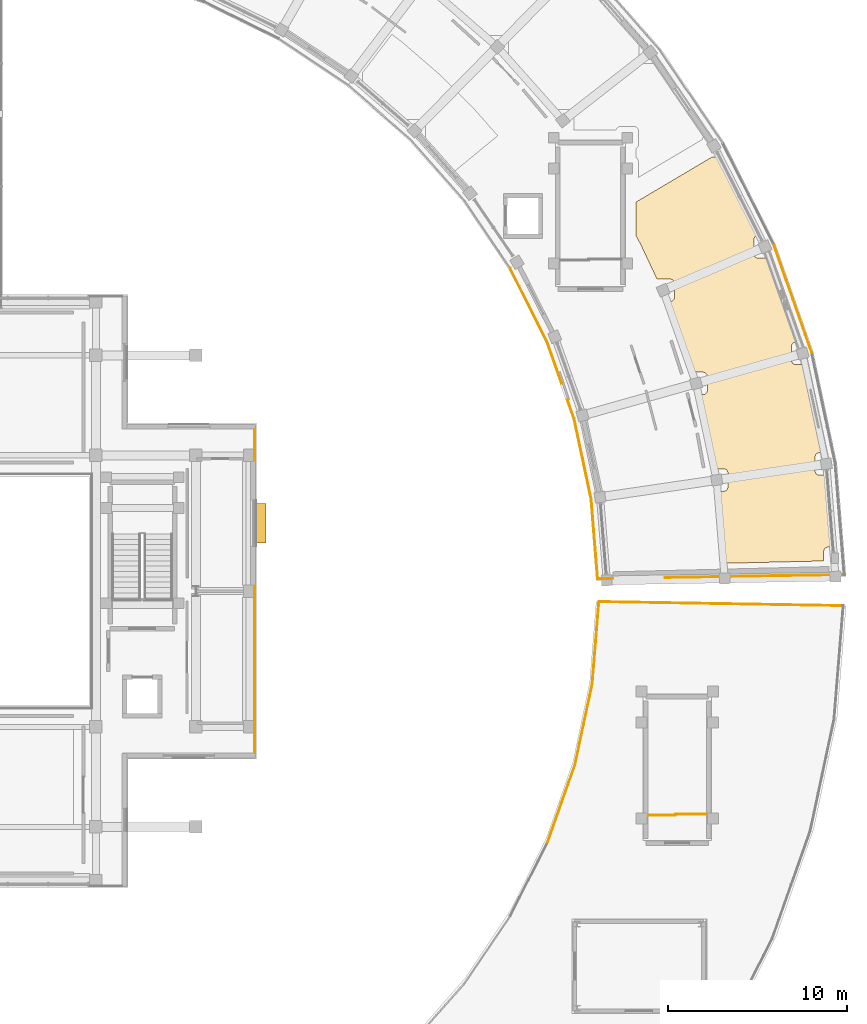
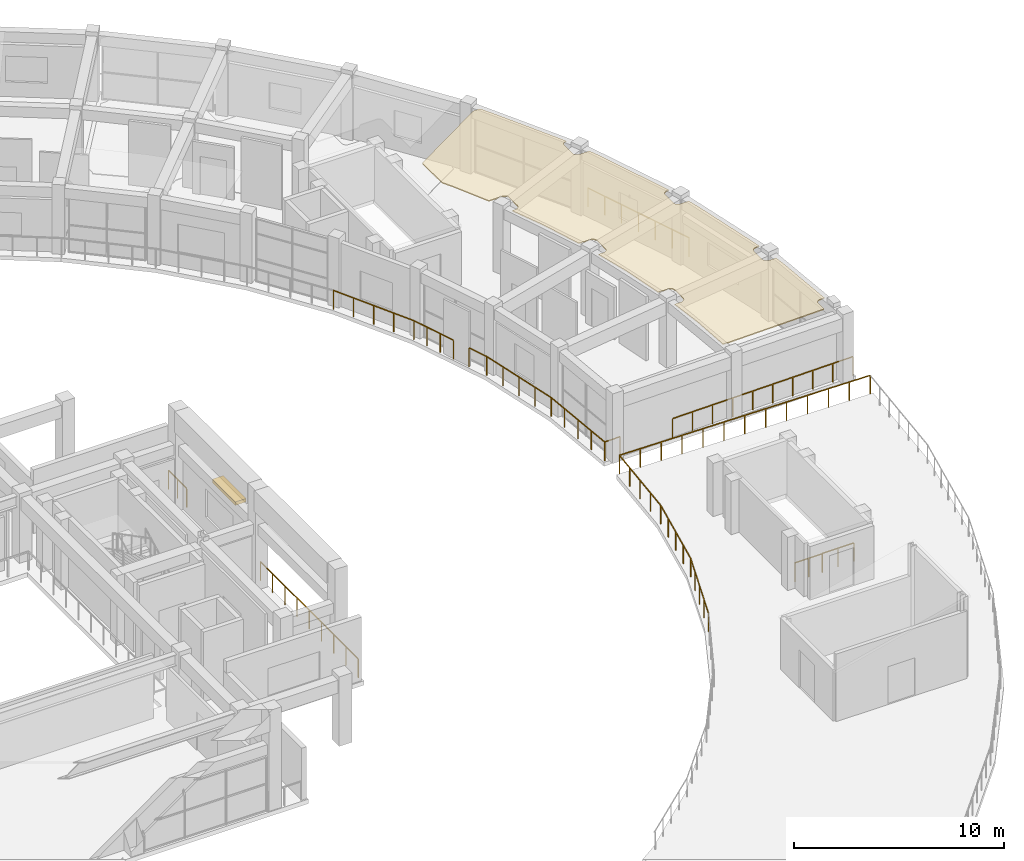
# One storey, part 25 of 29: 16 railings, 1 covering, 1 shading device.
"""IFC4 building model written with IfcOpenShell, lengths in metres."""

from ifc_helpers import new_model, si_unit, direction, frame, origin, origin_2d, place, context, subcontext, project, spatial, polyline, rectangle, outline, extrude, material, layer, layer_set, type_object, element, save


model = new_model("IFC4")

# Units and contexts
model_context = context("Model", 3, precision=1e-05, world=origin(), true_north=direction((0.0, 1.0)))
body_context = subcontext(model_context, "Body", "Model", "MODEL_VIEW")
ifc_project = project(units=[si_unit("LENGTHUNIT", "METRE"), si_unit("AREAUNIT", "SQUARE_METRE"), si_unit("VOLUMEUNIT", "CUBIC_METRE"), si_unit("PLANEANGLEUNIT", "RADIAN"), si_unit("MASSUNIT", "GRAM", prefix="KILO")], contexts=[model_context])

# Site, building, storey
site_placement = place(None, origin())
site = spatial("IfcSite", under=ifc_project, at=site_placement, CompositionType="ELEMENT")
building_placement = place(site_placement, origin())
building = spatial("IfcBuilding", under=site, at=building_placement, Name="Saryqyr Civic Hall", CompositionType="ELEMENT")
storey_placement = place(building_placement, frame((0.0, 0.0, 25.35009765625)))
storey = spatial("IfcBuildingStorey", under=building, at=storey_placement, Name="L06", CompositionType="ELEMENT", Elevation=25.35009765625)

# Railings
ifc_material_1 = material(Name="Stainless steel and laminated glass", Category="steel")
ifc_layer_1 = layer(ifc_material_1, 0.06005859375, Name="Stainless steel and laminated glass")
ifc_layer_set_1 = layer_set([ifc_layer_1], Name="Stainless steel and laminated glass")
railing_type_1 = type_object("IfcRailingType", Name="ENV-RLG-BAL-1100", PredefinedType="BALUSTRADE", material=ifc_layer_set_1)
railing_1_placement = place(storey_placement, frame((106.43310546875, 83.180419921875, 0.0)))
element("IfcRailing", 1, at=railing_1_placement, inside=storey, type_object=railing_type_1, Name="Perimeter safety balustrade V5-RG-L06-G11", PredefinedType="BALUSTRADE", context=body_context, shape_type="SweptSolid", body=[
    extrude(rectangle(XDim=0.048095703125, YDim=0.048095703125, at=origin_2d()), frame((0.0, 0.0, 1.076171875), z_axis=(-0.999862844613, 0.016561762067, 0.0), x_axis=(-0.016561762067, -0.999862844613, 0.0)), (0.0, 0.0, 1.0), 13.679931640625),
    extrude(rectangle(XDim=0.0419921875, YDim=0.0419921875, at=origin_2d()), origin(), (0.0, 0.0, 1.0), 1.052001953125),
    extrude(rectangle(XDim=0.0419921875, YDim=0.0419921875, at=origin_2d()), frame((-1.139892578125, 0.018798828125, 0.0)), (0.0, 0.0, 1.0), 1.052001953125),
    extrude(rectangle(XDim=0.0419921875, YDim=0.0419921875, at=origin_2d()), frame((-2.27978515625, 0.037841796875, 0.0)), (0.0, 0.0, 1.0), 1.052001953125),
    extrude(rectangle(XDim=0.0419921875, YDim=0.0419921875, at=origin_2d()), frame((-3.41943359375, 0.056640625, 0.0)), (0.0, 0.0, 1.0), 1.052001953125),
    extrude(rectangle(XDim=0.0419921875, YDim=0.0419921875, at=origin_2d()), frame((-4.559326171875, 0.075439453125, 0.0)), (0.0, 0.0, 1.0), 1.052001953125),
    extrude(rectangle(XDim=0.0419921875, YDim=0.0419921875, at=origin_2d()), frame((-5.69921875, 0.094482421875, 0.0)), (0.0, 0.0, 1.0), 1.052001953125),
    extrude(rectangle(XDim=0.0419921875, YDim=0.0419921875, at=origin_2d()), frame((-6.8388671875, 0.11328125, 0.0)), (0.0, 0.0, 1.0), 1.052001953125),
    extrude(rectangle(XDim=0.0419921875, YDim=0.0419921875, at=origin_2d()), frame((-7.978759765625, 0.132080078125, 0.0)), (0.0, 0.0, 1.0), 1.052001953125),
    extrude(rectangle(XDim=0.0419921875, YDim=0.0419921875, at=origin_2d()), frame((-9.11865234375, 0.151123046875, 0.0)), (0.0, 0.0, 1.0), 1.052001953125),
    extrude(rectangle(XDim=0.0419921875, YDim=0.0419921875, at=origin_2d()), frame((-10.258544921875, 0.169921875, 0.0)), (0.0, 0.0, 1.0), 1.052001953125),
    extrude(rectangle(XDim=0.0419921875, YDim=0.0419921875, at=origin_2d()), frame((-11.3984375, 0.188720703125, 0.0)), (0.0, 0.0, 1.0), 1.052001953125),
    extrude(rectangle(XDim=0.0419921875, YDim=0.0419921875, at=origin_2d()), frame((-12.5380859375, 0.207763671875, 0.0)), (0.0, 0.0, 1.0), 1.052001953125),
    extrude(rectangle(XDim=0.0419921875, YDim=0.0419921875, at=origin_2d()), frame((-13.677978515625, 0.2265625, 0.0)), (0.0, 0.0, 1.0), 1.052001953125),
])
railing_2_placement = place(storey_placement, frame((92.755126953125, 83.406982421875, 0.0)))
element("IfcRailing", 2, at=railing_2_placement, inside=storey, type_object=railing_type_1, Name="Perimeter safety balustrade V5-RG-L06-G12", PredefinedType="BALUSTRADE", context=body_context, shape_type="SweptSolid", body=[
    extrude(rectangle(XDim=0.048095703125, YDim=0.048095703125, at=origin_2d()), frame((0.0, 0.0, 1.076171875), z_axis=(-0.081094075367, -0.99670645174, 0.0), x_axis=(0.99670645174, -0.081094075367, 0.0)), (0.0, 0.0, 1.0), 4.6181640625),
    extrude(rectangle(XDim=0.0419921875, YDim=0.0419921875, at=origin_2d()), origin(), (0.0, 0.0, 1.0), 1.052001953125),
    extrude(rectangle(XDim=0.0419921875, YDim=0.0419921875, at=origin_2d()), frame((-0.09375, -1.15087890625, 0.0)), (0.0, 0.0, 1.0), 1.052001953125),
    extrude(rectangle(XDim=0.0419921875, YDim=0.0419921875, at=origin_2d()), frame((-0.187255859375, -2.301513671875, 0.0)), (0.0, 0.0, 1.0), 1.052001953125),
    extrude(rectangle(XDim=0.0419921875, YDim=0.0419921875, at=origin_2d()), frame((-0.28076171875, -3.4521484375, 0.0)), (0.0, 0.0, 1.0), 1.052001953125),
    extrude(rectangle(XDim=0.0419921875, YDim=0.0419921875, at=origin_2d()), frame((-0.37451171875, -4.60302734375, 0.0)), (0.0, 0.0, 1.0), 1.052001953125),
])
railing_3_placement = place(storey_placement, frame((92.380615234375, 78.803955078125, 0.0)))
element("IfcRailing", 3, at=railing_3_placement, inside=storey, type_object=railing_type_1, Name="Perimeter safety balustrade V5-RG-L06-G13", PredefinedType="BALUSTRADE", context=body_context, shape_type="SweptSolid", body=[
    extrude(rectangle(XDim=0.048095703125, YDim=0.048095703125, at=origin_2d()), frame((0.0, 0.0, 1.076171875), z_axis=(-0.208908118828, -0.977935272852, 0.0), x_axis=(0.977935272852, -0.208908118828, 0.0)), (0.0, 0.0, 1.0), 4.618408203125),
    extrude(rectangle(XDim=0.0419921875, YDim=0.0419921875, at=origin_2d()), origin(), (0.0, 0.0, 1.0), 1.052001953125),
    extrude(rectangle(XDim=0.0419921875, YDim=0.0419921875, at=origin_2d()), frame((-0.2412109375, -1.129150390625, 0.0)), (0.0, 0.0, 1.0), 1.052001953125),
    extrude(rectangle(XDim=0.0419921875, YDim=0.0419921875, at=origin_2d()), frame((-0.482421875, -2.25830078125, 0.0)), (0.0, 0.0, 1.0), 1.052001953125),
    extrude(rectangle(XDim=0.0419921875, YDim=0.0419921875, at=origin_2d()), frame((-0.7236328125, -3.387451171875, 0.0)), (0.0, 0.0, 1.0), 1.052001953125),
    extrude(rectangle(XDim=0.0419921875, YDim=0.0419921875, at=origin_2d()), frame((-0.96484375, -4.5166015625, 0.0)), (0.0, 0.0, 1.0), 1.052001953125),
])
railing_4_placement = place(storey_placement, frame((91.415771484375, 74.287353515625, 0.0)))
element("IfcRailing", 4, at=railing_4_placement, inside=storey, type_object=railing_type_1, Name="Perimeter safety balustrade V5-RG-L06-G14", PredefinedType="BALUSTRADE", context=body_context, shape_type="SweptSolid", body=[
    extrude(rectangle(XDim=0.048095703125, YDim=0.048095703125, at=origin_2d()), frame((0.0, 0.0, 1.076171875), z_axis=(-0.333176777153, -0.942864377928, 0.0), x_axis=(0.942864377928, -0.333176777153, 0.0)), (0.0, 0.0, 1.0), 4.61865234375),
    extrude(rectangle(XDim=0.0419921875, YDim=0.0419921875, at=origin_2d()), origin(), (0.0, 0.0, 1.0), 1.052001953125),
    extrude(rectangle(XDim=0.0419921875, YDim=0.0419921875, at=origin_2d()), frame((-0.384765625, -1.088623046875, 0.0)), (0.0, 0.0, 1.0), 1.052001953125),
    extrude(rectangle(XDim=0.0419921875, YDim=0.0419921875, at=origin_2d()), frame((-0.76953125, -2.17724609375, 0.0)), (0.0, 0.0, 1.0), 1.052001953125),
    extrude(rectangle(XDim=0.0419921875, YDim=0.0419921875, at=origin_2d()), frame((-1.154052734375, -3.26611328125, 0.0)), (0.0, 0.0, 1.0), 1.052001953125),
    extrude(rectangle(XDim=0.0419921875, YDim=0.0419921875, at=origin_2d()), frame((-1.538818359375, -4.354736328125, 0.0)), (0.0, 0.0, 1.0), 1.052001953125),
])

# Shading device
ifc_material_2 = material(Name="Warm brushed brass-anodised aluminium", Category="aluminium")
shading_device_type = type_object("IfcShadingDeviceType", Name="ENV-SHD-LOUVRE", PredefinedType="JALOUSIE", material=ifc_material_2)
shading_device_placement = place(storey_placement, frame((73.81494140625, 87.800048828125, 2.89501953125), z_axis=(0.0, 0.0, 1.0), x_axis=(0.0, -1.0, 0.0)))
element("IfcShadingDevice", 5, at=shading_device_placement, inside=storey, type_object=shading_device_type, Name="Warm brass exterior louvre hood L06-08", PredefinedType="JALOUSIE", context=body_context, shape_type="SweptSolid", body=[
    extrude(rectangle(XDim=2.199951171875, YDim=0.60009765625, at=origin_2d()), origin(), (0.0, 0.0, 1.0), 0.199951171875),
])

# Covering
ifc_material_3 = material(Name="Mineral-fibre acoustic ceiling tile", Category="acoustic_tile")
ifc_layer_2 = layer(ifc_material_3, 0.06005859375, Name="Mineral-fibre acoustic ceiling tile")
ifc_layer_set_2 = layer_set([ifc_layer_2], Name="Mineral-fibre acoustic ceiling tile")
covering_type = type_object("IfcCoveringType", Name="INT-COV-CEIL-60", PredefinedType="CEILING", material=ifc_layer_set_2)
covering_placement = place(storey_placement, frame((0.0, 0.0, 3.75)))
element("IfcCovering", 6, at=covering_placement, inside=storey, type_object=covering_type, Name="Acoustic ceiling North Ring AHU & Heat-Recovery Plant Room", PredefinedType="CEILING", context=body_context, shape_type="SweptSolid", body=[
    extrude(outline(polyline([(99.3642578125, 89.589111328125), (99.725830078125, 89.589111328125), (99.750244140625, 89.59033203125), (99.774658203125, 89.593994140625), (99.79833984375, 89.599853515625), (99.821533203125, 89.608154296875), (99.843505859375, 89.61865234375), (99.86474609375, 89.631103515625), (99.884521484375, 89.645751953125), (99.902587890625, 89.662353515625), (99.919189453125, 89.680419921875), (99.93359375, 89.7001953125), (99.9462890625, 89.72119140625), (99.956787109375, 89.743408203125), (99.965087890625, 89.7666015625), (99.970947265625, 89.790283203125), (99.974609375, 89.814697265625), (99.975830078125, 89.839111328125), (99.975830078125, 90.59912109375), (99.974609375, 90.62353515625), (99.970947265625, 90.64794921875), (99.965087890625, 90.671630859375), (99.956787109375, 90.69482421875), (99.9462890625, 90.716796875), (99.93359375, 90.738037109375), (99.919189453125, 90.7578125), (99.902587890625, 90.77587890625), (99.884521484375, 90.79248046875), (99.86474609375, 90.806884765625), (99.843505859375, 90.819580078125), (99.821533203125, 90.830078125), (99.79833984375, 90.83837890625), (99.774658203125, 90.84423828125), (99.750244140625, 90.847900390625), (99.725830078125, 90.84912109375), (99.186767578125, 90.84912109375), (98.76611328125, 93.1171875), (98.7587890625, 93.151611328125), (98.293212890625, 94.994873046875), (98.571044921875, 94.994873046875), (98.595703125, 94.99609375), (98.619873046875, 94.99951171875), (98.643798828125, 95.005615234375), (98.666748046875, 95.013916015625), (98.68896484375, 95.0244140625), (98.7099609375, 95.036865234375), (98.729736328125, 95.051513671875), (98.747802734375, 95.068115234375), (98.764404296875, 95.086181640625), (98.779052734375, 95.10595703125), (98.79150390625, 95.126953125), (98.802001953125, 95.149169921875), (98.810302734375, 95.172119140625), (98.81640625, 95.196044921875), (98.81982421875, 95.22021484375), (98.821044921875, 95.244873046875), (98.821044921875, 96.0048828125), (98.81982421875, 96.029296875), (98.81640625, 96.0537109375), (98.810302734375, 96.077392578125), (98.802001953125, 96.1005859375), (98.79150390625, 96.12255859375), (98.779052734375, 96.143798828125), (98.764404296875, 96.163330078125), (98.747802734375, 96.181640625), (98.729736328125, 96.197998046875), (98.7099609375, 96.212646484375), (98.68896484375, 96.225341796875), (98.666748046875, 96.23583984375), (98.643798828125, 96.243896484375), (98.619873046875, 96.25), (98.595703125, 96.253662109375), (98.571044921875, 96.2548828125), (97.942626953125, 96.2548828125), (97.262939453125, 98.367919921875), (97.251220703125, 98.40087890625), (96.5400390625, 100.206787109375), (96.729248046875, 100.206787109375), (96.75390625, 100.2080078125), (96.778076171875, 100.21142578125), (96.802001953125, 100.217529296875), (96.824951171875, 100.2255859375), (96.84716796875, 100.236083984375), (96.8681640625, 100.248779296875), (96.887939453125, 100.263427734375), (96.906005859375, 100.27978515625), (96.922607421875, 100.298095703125), (96.937255859375, 100.31787109375), (96.94970703125, 100.3388671875), (96.960205078125, 100.361083984375), (96.968505859375, 100.384033203125), (96.974609375, 100.407958984375), (96.97802734375, 100.43212890625), (96.979248046875, 100.456787109375), (96.979248046875, 101.216796875), (96.97802734375, 101.2412109375), (96.974609375, 101.265380859375), (96.968505859375, 101.289306640625), (96.960205078125, 101.3125), (96.94970703125, 101.33447265625), (96.937255859375, 101.355712890625), (96.922607421875, 101.375244140625), (96.906005859375, 101.3935546875), (96.887939453125, 101.409912109375), (96.8681640625, 101.424560546875), (96.84716796875, 101.437255859375), (96.824951171875, 101.44775390625), (96.802001953125, 101.455810546875), (96.778076171875, 101.4619140625), (96.75390625, 101.465576171875), (96.729248046875, 101.466796875), (96.0029296875, 101.466796875), (95.1025390625, 103.384033203125), (95.086669921875, 103.415283203125), (94.820068359375, 103.89990234375), (94.820068359375, 105.77197265625), (99.07080078125, 108.291015625), (99.453369140625, 108.291015625), (99.78857421875, 107.681640625), (101.55859375, 104.16650390625), (101.680908203125, 103.905517578125), (101.66943359375, 103.905517578125), (101.64501953125, 103.904296875), (101.62060546875, 103.90087890625), (101.5966796875, 103.894775390625), (101.57373046875, 103.88671875), (101.551513671875, 103.876220703125), (101.530517578125, 103.863525390625), (101.5107421875, 103.848876953125), (101.49267578125, 103.83251953125), (101.47607421875, 103.814208984375), (101.46142578125, 103.79443359375), (101.448974609375, 103.7734375), (101.4384765625, 103.751220703125), (101.43017578125, 103.728271484375), (101.42431640625, 103.704345703125), (101.420654296875, 103.68017578125), (101.41943359375, 103.655517578125), (101.41943359375, 102.8955078125), (101.420654296875, 102.87109375), (101.42431640625, 102.8466796875), (101.43017578125, 102.822998046875), (101.4384765625, 102.7998046875), (101.448974609375, 102.77783203125), (101.46142578125, 102.756591796875), (101.47607421875, 102.737060546875), (101.49267578125, 102.71875), (101.5107421875, 102.702392578125), (101.530517578125, 102.687744140625), (101.551513671875, 102.675048828125), (101.57373046875, 102.66455078125), (101.5966796875, 102.656494140625), (101.62060546875, 102.650390625), (101.64501953125, 102.646728515625), (101.66943359375, 102.6455078125), (102.217529296875, 102.6455078125), (102.470947265625, 102.002197265625), (103.877197265625, 97.938720703125), (103.778076171875, 97.938720703125), (103.75341796875, 97.9375), (103.729248046875, 97.93408203125), (103.705322265625, 97.927978515625), (103.682373046875, 97.919921875), (103.66015625, 97.9091796875), (103.63916015625, 97.896728515625), (103.619384765625, 97.882080078125), (103.601318359375, 97.865478515625), (103.584716796875, 97.847412109375), (103.570068359375, 97.82763671875), (103.5576171875, 97.806640625), (103.547119140625, 97.784423828125), (103.538818359375, 97.761474609375), (103.53271484375, 97.737548828125), (103.529296875, 97.71337890625), (103.528076171875, 97.688720703125), (103.528076171875, 96.9287109375), (103.529296875, 96.904296875), (103.53271484375, 96.8798828125), (103.538818359375, 96.856201171875), (103.547119140625, 96.8330078125), (103.5576171875, 96.81103515625), (103.570068359375, 96.789794921875), (103.584716796875, 96.770263671875), (103.601318359375, 96.751953125), (103.619384765625, 96.735595703125), (103.63916015625, 96.720947265625), (103.66015625, 96.708251953125), (103.682373046875, 96.69775390625), (103.705322265625, 96.689697265625), (103.729248046875, 96.68359375), (103.75341796875, 96.679931640625), (103.778076171875, 96.6787109375), (104.23828125, 96.6787109375), (104.40380859375, 96.022705078125), (105.29248046875, 91.75), (105.10009765625, 91.75), (105.075439453125, 91.748779296875), (105.05126953125, 91.7451171875), (105.02734375, 91.7392578125), (105.00439453125, 91.73095703125), (104.982177734375, 91.720458984375), (104.961181640625, 91.7080078125), (104.94140625, 91.693359375), (104.923095703125, 91.6767578125), (104.90673828125, 91.65869140625), (104.89208984375, 91.638916015625), (104.87939453125, 91.617919921875), (104.868896484375, 91.595703125), (104.86083984375, 91.572509765625), (104.854736328125, 91.548828125), (104.851318359375, 91.5244140625), (104.85009765625, 91.5), (104.85009765625, 90.739990234375), (104.851318359375, 90.715576171875), (104.854736328125, 90.691162109375), (104.86083984375, 90.66748046875), (104.868896484375, 90.644287109375), (104.87939453125, 90.622314453125), (104.89208984375, 90.60107421875), (104.90673828125, 90.581298828125), (104.923095703125, 90.563232421875), (104.94140625, 90.546630859375), (104.961181640625, 90.531982421875), (104.982177734375, 90.51953125), (105.00439453125, 90.509033203125), (105.02734375, 90.500732421875), (105.05126953125, 90.494873046875), (105.075439453125, 90.4912109375), (105.10009765625, 90.489990234375), (105.476806640625, 90.489990234375), (105.55419921875, 89.845947265625), (105.814208984375, 86.46826171875), (105.58544921875, 86.46826171875), (105.56103515625, 86.467041015625), (105.53662109375, 86.46337890625), (105.512939453125, 86.45751953125), (105.48974609375, 86.44921875), (105.4677734375, 86.438720703125), (105.446533203125, 86.42626953125), (105.427001953125, 86.41162109375), (105.40869140625, 86.39501953125), (105.39208984375, 86.376953125), (105.377685546875, 86.357177734375), (105.364990234375, 86.336181640625), (105.3544921875, 86.31396484375), (105.34619140625, 86.291015625), (105.34033203125, 86.26708984375), (105.336669921875, 86.242919921875), (105.33544921875, 86.21826171875), (105.33544921875, 85.689208984375), (99.7080078125, 85.556640625), (99.587890625, 87.717529296875), (99.584716796875, 87.752685546875), (99.3642578125, 89.589111328125)])), origin(), (0.0, 0.0, 1.0), 0.059814453125),
])

# Railings
ifc_material_4 = material(Name="Warm brushed brass and laminated glass", Category="glass")
ifc_layer_3 = layer(ifc_material_4, 0.06005859375, Name="Warm brushed brass and laminated glass")
ifc_layer_set_3 = layer_set([ifc_layer_3], Name="Warm brushed brass and laminated glass")
railing_type_2 = type_object("IfcRailingType", Name="INT-RLG-BAL-1100", PredefinedType="BALUSTRADE", material=ifc_layer_set_3)
railing_5_placement = place(storey_placement, frame((98.800048828125, 71.510009765625, 0.0)))
element("IfcRailing", 7, at=railing_5_placement, inside=storey, type_object=railing_type_2, Name="L06 ST-5 top well guard 1", PredefinedType="BALUSTRADE", context=body_context, shape_type="SweptSolid", body=[
    extrude(rectangle(XDim=0.048095703125, YDim=0.048095703125, at=origin_2d()), frame((0.0, 0.0, 1.076171875), z_axis=(-1.0, 0.0, 0.0), x_axis=(0.0, -1.0, 0.0)), (0.0, 0.0, 1.0), 1.760009765625),
    extrude(rectangle(XDim=0.0419921875, YDim=0.0419921875, at=origin_2d()), origin(), (0.0, 0.0, 1.0), 1.052001953125),
    extrude(rectangle(XDim=0.0419921875, YDim=0.0419921875, at=origin_2d()), frame((-0.8798828125, 0.0, 0.0)), (0.0, 0.0, 1.0), 1.052001953125),
    extrude(rectangle(XDim=0.0419921875, YDim=0.0419921875, at=origin_2d()), frame((-1.760009765625, 0.0, 0.0)), (0.0, 0.0, 1.0), 1.052001953125),
])
railing_6_placement = place(storey_placement, frame((95.52490234375, 71.4599609375, 0.0)))
element("IfcRailing", 8, at=railing_6_placement, inside=storey, type_object=railing_type_2, Name="Interior deck safety balustrade L06-001", PredefinedType="BALUSTRADE", context=body_context, shape_type="SweptSolid", body=[
    extrude(rectangle(XDim=0.048095703125, YDim=0.048095703125, at=origin_2d()), frame((0.0, 0.0, 1.09619140625), z_axis=(1.0, 0.0, 0.0), x_axis=(0.0, 1.0, 0.0)), (0.0, 0.0, 1.0), 1.51513671875),
    extrude(rectangle(XDim=0.0419921875, YDim=0.0419921875, at=origin_2d()), origin(), (0.0, 0.0, 1.0), 1.072021484375),
    extrude(rectangle(XDim=0.0419921875, YDim=0.0419921875, at=origin_2d()), frame((0.757568359375, 0.0, 0.0)), (0.0, 0.0, 1.0), 1.072021484375),
    extrude(rectangle(XDim=0.0419921875, YDim=0.0419921875, at=origin_2d()), frame((1.51513671875, 0.0, 0.0)), (0.0, 0.0, 1.0), 1.072021484375),
])
railing_7_placement = place(storey_placement, frame((102.55029296875, 103.375244140625, 0.0)))
element("IfcRailing", 9, at=railing_7_placement, inside=storey, type_object=railing_type_2, Name="Interior deck safety balustrade L06-016", PredefinedType="BALUSTRADE", context=body_context, shape_type="SweptSolid", body=[
    extrude(rectangle(XDim=0.048095703125, YDim=0.048095703125, at=origin_2d()), frame((0.0, 0.0, 1.09619140625), z_axis=(0.331496156423, -0.943456569364, 0.0), x_axis=(0.943456569364, 0.331496156423, 0.0)), (0.0, 0.0, 1.0), 6.358154296875),
    extrude(rectangle(XDim=0.0419921875, YDim=0.0419921875, at=origin_2d()), origin(), (0.0, 0.0, 1.0), 1.072021484375),
    extrude(rectangle(XDim=0.0419921875, YDim=0.0419921875, at=origin_2d()), frame((0.351318359375, -0.999755859375, 0.0)), (0.0, 0.0, 1.0), 1.072021484375),
    extrude(rectangle(XDim=0.0419921875, YDim=0.0419921875, at=origin_2d()), frame((0.70263671875, -1.99951171875, 0.0)), (0.0, 0.0, 1.0), 1.072021484375),
    extrude(rectangle(XDim=0.0419921875, YDim=0.0419921875, at=origin_2d()), frame((1.0537109375, -2.999267578125, 0.0)), (0.0, 0.0, 1.0), 1.072021484375),
    extrude(rectangle(XDim=0.0419921875, YDim=0.0419921875, at=origin_2d()), frame((1.405029296875, -3.9990234375, 0.0)), (0.0, 0.0, 1.0), 1.072021484375),
    extrude(rectangle(XDim=0.0419921875, YDim=0.0419921875, at=origin_2d()), frame((1.75634765625, -4.998779296875, 0.0)), (0.0, 0.0, 1.0), 1.072021484375),
    extrude(rectangle(XDim=0.0419921875, YDim=0.0419921875, at=origin_2d()), frame((2.107666015625, -5.99853515625, 0.0)), (0.0, 0.0, 1.0), 1.072021484375),
])
railing_8_placement = place(storey_placement, frame((106.48486328125, 84.920654296875, 0.0)))
element("IfcRailing", 10, at=railing_8_placement, inside=storey, type_object=railing_type_2, Name="Interior deck safety balustrade L06-019", PredefinedType="BALUSTRADE", context=body_context, shape_type="SweptSolid", body=[
    extrude(rectangle(XDim=0.048095703125, YDim=0.048095703125, at=origin_2d()), frame((0.0, 0.0, 1.09619140625), z_axis=(-0.999862469126, -0.016584415361, 0.0), x_axis=(0.016584415361, -0.999862469126, 0.0)), (0.0, 0.0, 1.0), 10.025146484375),
    extrude(rectangle(XDim=0.0419921875, YDim=0.0419921875, at=origin_2d()), origin(), (0.0, 0.0, 1.0), 1.072021484375),
    extrude(rectangle(XDim=0.0419921875, YDim=0.0419921875, at=origin_2d()), frame((-1.11376953125, -0.0185546875, 0.0)), (0.0, 0.0, 1.0), 1.072021484375),
    extrude(rectangle(XDim=0.0419921875, YDim=0.0419921875, at=origin_2d()), frame((-2.2275390625, -0.036865234375, 0.0)), (0.0, 0.0, 1.0), 1.072021484375),
    extrude(rectangle(XDim=0.0419921875, YDim=0.0419921875, at=origin_2d()), frame((-3.34130859375, -0.055419921875, 0.0)), (0.0, 0.0, 1.0), 1.072021484375),
    extrude(rectangle(XDim=0.0419921875, YDim=0.0419921875, at=origin_2d()), frame((-4.455078125, -0.073974609375, 0.0)), (0.0, 0.0, 1.0), 1.072021484375),
    extrude(rectangle(XDim=0.0419921875, YDim=0.0419921875, at=origin_2d()), frame((-5.568603515625, -0.09228515625, 0.0)), (0.0, 0.0, 1.0), 1.072021484375),
    extrude(rectangle(XDim=0.0419921875, YDim=0.0419921875, at=origin_2d()), frame((-6.682373046875, -0.11083984375, 0.0)), (0.0, 0.0, 1.0), 1.072021484375),
    extrude(rectangle(XDim=0.0419921875, YDim=0.0419921875, at=origin_2d()), frame((-7.796142578125, -0.12939453125, 0.0)), (0.0, 0.0, 1.0), 1.072021484375),
    extrude(rectangle(XDim=0.0419921875, YDim=0.0419921875, at=origin_2d()), frame((-8.909912109375, -0.147705078125, 0.0)), (0.0, 0.0, 1.0), 1.072021484375),
    extrude(rectangle(XDim=0.0419921875, YDim=0.0419921875, at=origin_2d()), frame((-10.023681640625, -0.166259765625, 0.0)), (0.0, 0.0, 1.0), 1.072021484375),
])
railing_9_placement = place(storey_placement, frame((93.543701171875, 84.705810546875, 0.0)))
element("IfcRailing", 11, at=railing_9_placement, inside=storey, type_object=railing_type_2, Name="Interior deck safety balustrade L06-020", PredefinedType="BALUSTRADE", context=body_context, shape_type="SweptSolid", body=[
    extrude(rectangle(XDim=0.048095703125, YDim=0.048095703125, at=origin_2d()), frame((0.0, 0.0, 1.09619140625), z_axis=(-0.999863347433, -0.016531378036, 0.0), x_axis=(0.016531378036, -0.999863347433, 0.0)), (0.0, 0.0, 1.0), 0.8564453125),
    extrude(rectangle(XDim=0.0419921875, YDim=0.0419921875, at=origin_2d()), origin(), (0.0, 0.0, 1.0), 1.072021484375),
    extrude(rectangle(XDim=0.0419921875, YDim=0.0419921875, at=origin_2d()), frame((-0.8564453125, -0.01416015625, 0.0)), (0.0, 0.0, 1.0), 1.072021484375),
])
railing_10_placement = place(storey_placement, frame((92.687255859375, 84.691650390625, 0.0)))
element("IfcRailing", 12, at=railing_10_placement, inside=storey, type_object=railing_type_2, Name="Interior deck safety balustrade L06-021", PredefinedType="BALUSTRADE", context=body_context, shape_type="SweptSolid", body=[
    extrude(rectangle(XDim=0.048095703125, YDim=0.048095703125, at=origin_2d()), frame((0.0, 0.0, 1.09619140625), z_axis=(-0.080774947031, 0.996732365248, 0.0), x_axis=(-0.996732365248, -0.080774947031, 0.0)), (0.0, 0.0, 1.0), 4.4853515625),
    extrude(rectangle(XDim=0.0419921875, YDim=0.0419921875, at=origin_2d()), origin(), (0.0, 0.0, 1.0), 1.072021484375),
    extrude(rectangle(XDim=0.0419921875, YDim=0.0419921875, at=origin_2d()), frame((-0.090576171875, 1.11767578125, 0.0)), (0.0, 0.0, 1.0), 1.072021484375),
    extrude(rectangle(XDim=0.0419921875, YDim=0.0419921875, at=origin_2d()), frame((-0.18115234375, 2.2353515625, 0.0)), (0.0, 0.0, 1.0), 1.072021484375),
    extrude(rectangle(XDim=0.0419921875, YDim=0.0419921875, at=origin_2d()), frame((-0.271728515625, 3.35302734375, 0.0)), (0.0, 0.0, 1.0), 1.072021484375),
    extrude(rectangle(XDim=0.0419921875, YDim=0.0419921875, at=origin_2d()), frame((-0.3623046875, 4.470703125, 0.0)), (0.0, 0.0, 1.0), 1.072021484375),
])
railing_11_placement = place(storey_placement, frame((92.324951171875, 89.162353515625, 0.0)))
element("IfcRailing", 13, at=railing_11_placement, inside=storey, type_object=railing_type_2, Name="Interior deck safety balustrade L06-022", PredefinedType="BALUSTRADE", context=body_context, shape_type="SweptSolid", body=[
    extrude(rectangle(XDim=0.048095703125, YDim=0.048095703125, at=origin_2d()), frame((0.0, 0.0, 1.09619140625), z_axis=(-0.207856208743, 0.978159392168, 0.0), x_axis=(-0.978159392168, -0.207856208743, 0.0)), (0.0, 0.0, 1.0), 4.58544921875),
    extrude(rectangle(XDim=0.0419921875, YDim=0.0419921875, at=origin_2d()), origin(), (0.0, 0.0, 1.0), 1.072021484375),
    extrude(rectangle(XDim=0.0419921875, YDim=0.0419921875, at=origin_2d()), frame((-0.23828125, 1.121337890625, 0.0)), (0.0, 0.0, 1.0), 1.072021484375),
    extrude(rectangle(XDim=0.0419921875, YDim=0.0419921875, at=origin_2d()), frame((-0.4765625, 2.24267578125, 0.0)), (0.0, 0.0, 1.0), 1.072021484375),
    extrude(rectangle(XDim=0.0419921875, YDim=0.0419921875, at=origin_2d()), frame((-0.71484375, 3.364013671875, 0.0)), (0.0, 0.0, 1.0), 1.072021484375),
    extrude(rectangle(XDim=0.0419921875, YDim=0.0419921875, at=origin_2d()), frame((-0.953125, 4.4853515625, 0.0)), (0.0, 0.0, 1.0), 1.072021484375),
])
railing_12_placement = place(storey_placement, frame((91.371826171875, 93.647705078125, 0.0)))
element("IfcRailing", 14, at=railing_12_placement, inside=storey, type_object=railing_type_2, Name="Interior deck safety balustrade L06-023", PredefinedType="BALUSTRADE", context=body_context, shape_type="SweptSolid", body=[
    extrude(rectangle(XDim=0.048095703125, YDim=0.048095703125, at=origin_2d()), frame((0.0, 0.0, 1.09619140625), z_axis=(-0.331501807942, 0.943454583608, 0.0), x_axis=(-0.943454583608, -0.331501807942, 0.0)), (0.0, 0.0, 1.0), 1.1142578125),
    extrude(rectangle(XDim=0.0419921875, YDim=0.0419921875, at=origin_2d()), origin(), (0.0, 0.0, 1.0), 1.072021484375),
    extrude(rectangle(XDim=0.0419921875, YDim=0.0419921875, at=origin_2d()), frame((-0.369384765625, 1.05126953125, 0.0)), (0.0, 0.0, 1.0), 1.072021484375),
])
railing_13_placement = place(storey_placement, frame((90.675048828125, 95.631103515625, 0.0)))
element("IfcRailing", 15, at=railing_13_placement, inside=storey, type_object=railing_type_2, Name="Interior deck safety balustrade L06-024", PredefinedType="BALUSTRADE", context=body_context, shape_type="SweptSolid", body=[
    extrude(rectangle(XDim=0.048095703125, YDim=0.048095703125, at=origin_2d()), frame((0.0, 0.0, 1.09619140625), z_axis=(-0.331554592044, 0.94343603519, 0.0), x_axis=(-0.94343603519, -0.331554592044, 0.0)), (0.0, 0.0, 1.0), 2.48291015625),
    extrude(rectangle(XDim=0.0419921875, YDim=0.0419921875, at=origin_2d()), origin(), (0.0, 0.0, 1.0), 1.072021484375),
    extrude(rectangle(XDim=0.0419921875, YDim=0.0419921875, at=origin_2d()), frame((-0.2744140625, 0.78076171875, 0.0)), (0.0, 0.0, 1.0), 1.072021484375),
    extrude(rectangle(XDim=0.0419921875, YDim=0.0419921875, at=origin_2d()), frame((-0.548828125, 1.561767578125, 0.0)), (0.0, 0.0, 1.0), 1.072021484375),
    extrude(rectangle(XDim=0.0419921875, YDim=0.0419921875, at=origin_2d()), frame((-0.8232421875, 2.342529296875, 0.0)), (0.0, 0.0, 1.0), 1.072021484375),
])
railing_14_placement = place(storey_placement, frame((89.851806640625, 97.9736328125, 0.0)))
element("IfcRailing", 16, at=railing_14_placement, inside=storey, type_object=railing_type_2, Name="Interior deck safety balustrade L06-025", PredefinedType="BALUSTRADE", context=body_context, shape_type="SweptSolid", body=[
    extrude(rectangle(XDim=0.048095703125, YDim=0.048095703125, at=origin_2d()), frame((0.0, 0.0, 1.09619140625), z_axis=(-0.449724794806, 0.893167178605, 0.0), x_axis=(-0.893167178605, -0.449724794806, 0.0)), (0.0, 0.0, 1.0), 4.585693359375),
    extrude(rectangle(XDim=0.0419921875, YDim=0.0419921875, at=origin_2d()), origin(), (0.0, 0.0, 1.0), 1.072021484375),
    extrude(rectangle(XDim=0.0419921875, YDim=0.0419921875, at=origin_2d()), frame((-0.515625, 1.02392578125, 0.0)), (0.0, 0.0, 1.0), 1.072021484375),
    extrude(rectangle(XDim=0.0419921875, YDim=0.0419921875, at=origin_2d()), frame((-1.03125, 2.0478515625, 0.0)), (0.0, 0.0, 1.0), 1.072021484375),
    extrude(rectangle(XDim=0.0419921875, YDim=0.0419921875, at=origin_2d()), frame((-1.546630859375, 3.07177734375, 0.0)), (0.0, 0.0, 1.0), 1.072021484375),
    extrude(rectangle(XDim=0.0419921875, YDim=0.0419921875, at=origin_2d()), frame((-2.062255859375, 4.095703125, 0.0)), (0.0, 0.0, 1.0), 1.072021484375),
])
railing_15_placement = place(storey_placement, frame((73.5, 93.044921875, 0.0)))
element("IfcRailing", 17, at=railing_15_placement, inside=storey, type_object=railing_type_2, Name="Interior deck safety balustrade L06-037", PredefinedType="BALUSTRADE", context=body_context, shape_type="SweptSolid", body=[
    extrude(rectangle(XDim=0.048095703125, YDim=0.048095703125, at=origin_2d()), frame((0.0, 0.0, 1.09619140625), z_axis=(0.0, -1.0, 0.0), x_axis=(1.0, 0.0, 0.0)), (0.0, 0.0, 1.0), 1.72998046875),
    extrude(rectangle(XDim=0.0419921875, YDim=0.0419921875, at=origin_2d()), origin(), (0.0, 0.0, 1.0), 1.072021484375),
    extrude(rectangle(XDim=0.0419921875, YDim=0.0419921875, at=origin_2d()), frame((0.0, -0.864990234375, 0.0)), (0.0, 0.0, 1.0), 1.072021484375),
    extrude(rectangle(XDim=0.0419921875, YDim=0.0419921875, at=origin_2d()), frame((0.0, -1.72998046875, 0.0)), (0.0, 0.0, 1.0), 1.072021484375),
])
railing_16_placement = place(storey_placement, frame((73.5, 84.284912109375, 0.0)))
element("IfcRailing", 18, at=railing_16_placement, inside=storey, type_object=railing_type_2, Name="Interior deck safety balustrade L06-038", PredefinedType="BALUSTRADE", context=body_context, shape_type="SweptSolid", body=[
    extrude(rectangle(XDim=0.048095703125, YDim=0.048095703125, at=origin_2d()), frame((0.0, 0.0, 1.09619140625), z_axis=(0.0, -1.0, 0.0), x_axis=(1.0, 0.0, 0.0)), (0.0, 0.0, 1.0), 9.329833984375),
    extrude(rectangle(XDim=0.0419921875, YDim=0.0419921875, at=origin_2d()), origin(), (0.0, 0.0, 1.0), 1.072021484375),
    extrude(rectangle(XDim=0.0419921875, YDim=0.0419921875, at=origin_2d()), frame((0.0, -1.166259765625, 0.0)), (0.0, 0.0, 1.0), 1.072021484375),
    extrude(rectangle(XDim=0.0419921875, YDim=0.0419921875, at=origin_2d()), frame((0.0, -2.33251953125, 0.0)), (0.0, 0.0, 1.0), 1.072021484375),
    extrude(rectangle(XDim=0.0419921875, YDim=0.0419921875, at=origin_2d()), frame((0.0, -3.498779296875, 0.0)), (0.0, 0.0, 1.0), 1.072021484375),
    extrude(rectangle(XDim=0.0419921875, YDim=0.0419921875, at=origin_2d()), frame((0.0, -4.6650390625, 0.0)), (0.0, 0.0, 1.0), 1.072021484375),
    extrude(rectangle(XDim=0.0419921875, YDim=0.0419921875, at=origin_2d()), frame((0.0, -5.8310546875, 0.0)), (0.0, 0.0, 1.0), 1.072021484375),
    extrude(rectangle(XDim=0.0419921875, YDim=0.0419921875, at=origin_2d()), frame((0.0, -6.997314453125, 0.0)), (0.0, 0.0, 1.0), 1.072021484375),
    extrude(rectangle(XDim=0.0419921875, YDim=0.0419921875, at=origin_2d()), frame((0.0, -8.16357421875, 0.0)), (0.0, 0.0, 1.0), 1.072021484375),
    extrude(rectangle(XDim=0.0419921875, YDim=0.0419921875, at=origin_2d()), frame((0.0, -9.329833984375, 0.0)), (0.0, 0.0, 1.0), 1.072021484375),
])

save(model, "model.ifc")
